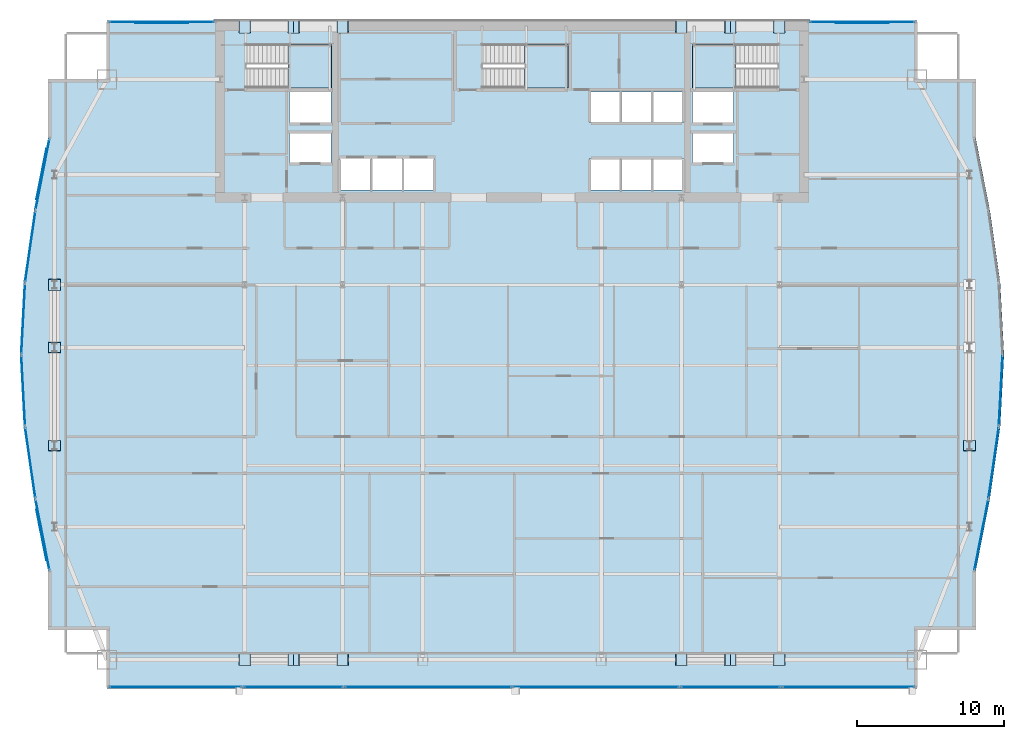
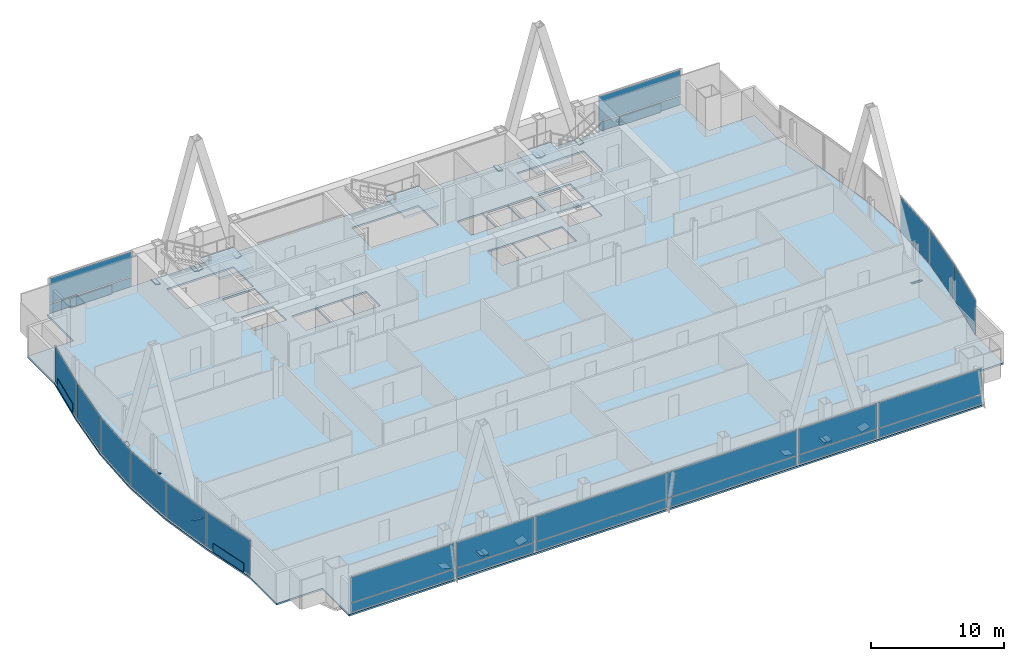
# One storey, part 25 of 31: 50 plates, 4 slabs, 19 elements without a shape of their own.
"""IFC4 building model written with IfcOpenShell, lengths in metres."""

from ifc_helpers import new_model, si_unit, direction, frame, origin, origin_2d, place, context, subcontext, project, spatial, polyline, rectangle, outline, extrude, material, layer, layer_set, type_object, element, aggregate, save


model = new_model("IFC4")

# Units and contexts
model_context = context("Model", 3, precision=1e-05, world=origin(), true_north=direction((0.0, 1.0)))
body_context = subcontext(model_context, "Body", "Model", "MODEL_VIEW")
ifc_project = project(units=[si_unit("LENGTHUNIT", "METRE"), si_unit("AREAUNIT", "SQUARE_METRE"), si_unit("VOLUMEUNIT", "CUBIC_METRE"), si_unit("PLANEANGLEUNIT", "RADIAN"), si_unit("MASSUNIT", "GRAM", prefix="KILO")], contexts=[model_context])

# Site, building, storey
site_placement = place(None, origin())
site = spatial("IfcSite", under=ifc_project, at=site_placement, CompositionType="ELEMENT")
building_placement = place(site_placement, origin())
building = spatial("IfcBuilding", under=site, at=building_placement, Name="Khoronbel Lancet Exchange", CompositionType="ELEMENT")
storey_placement = place(building_placement, frame((0.0, 0.0, 168.60009765625)))
storey = spatial("IfcBuildingStorey", under=building, at=storey_placement, Name="L42", CompositionType="ELEMENT", Elevation=168.60009765625)

# Curtain wall, plate
ifc_material_1 = material(Name="Low-E Solar Control Insulating Glass", Category="glass")
curtain_wall_type_1 = type_object("IfcCurtainWallType", Name="CW-4", PredefinedType="NOTDEFINED", material=ifc_material_1)
curtain_wall_1_placement = place(storey_placement, origin())
curtain_wall_1 = element("IfcCurtainWall", 1, at=curtain_wall_1_placement, inside=storey, type_object=curtain_wall_type_1, Name="Unitised curtain wall CW-L42-E04", PredefinedType="NOTDEFINED")
ifc_material_2 = material(Name="Bronze-Anodised Aluminium 6063-T6", Category="aluminium")
ifc_layer_1 = layer(ifc_material_2, 0.050048828125, Name="Bronze-Anodised Aluminium 6063-T6")
ifc_layer_set_1 = layer_set([ifc_layer_1], Name="Bronze-Anodised Aluminium 6063-T6")
plate_type_1 = type_object("IfcPlateType", Name="PLT-CSP1", PredefinedType="SHEET", material=ifc_layer_set_1)
plate_1_placement = place(storey_placement, frame((4.39794921875, 18.65869140625, 0.0498046875), z_axis=(0.0, 0.0, 1.0), x_axis=(-0.192626724116, 0.981272105563, 0.0)))
plate_1 = element("IfcPlate", 2, at=plate_1_placement, type_object=plate_type_1, Name="Insulated bronze spandrel cassette CW-L42-E04", PredefinedType="SHEET", context=body_context, shape_type="SweptSolid", body=[
    extrude(rectangle(XDim=3.511962890625, YDim=0.050048828125, at=origin_2d()), origin(), (0.0, 0.0, 1.0), 0.800048828125),
])

curtain_wall_2_placement = place(storey_placement, origin())
curtain_wall_2 = element("IfcCurtainWall", 3, at=curtain_wall_2_placement, inside=storey, type_object=curtain_wall_type_1, Name="Unitised curtain wall CW-L42-E05", PredefinedType="NOTDEFINED")
plate_2_placement = place(storey_placement, frame((3.620849609375, 23.5869140625, 0.0849609375), z_axis=(0.0, 0.0, 1.0), x_axis=(-0.142256663132, 0.989829804459, 0.0)))
plate_2 = element("IfcPlate", 4, at=plate_2_placement, type_object=plate_type_1, Name="CW4 panel 1.1", PredefinedType="CURTAIN_PANEL", context=body_context, shape_type="SweptSolid", body=[
    extrude(rectangle(XDim=4.810791015625, YDim=0.0380859375, at=origin_2d()), origin(), (0.0, 0.0, 1.0), 3.2099609375),
])
aggregate(curtain_wall_2, [plate_2])

curtain_wall_3_placement = place(storey_placement, origin())
curtain_wall_3 = element("IfcCurtainWall", 5, at=curtain_wall_3_placement, inside=storey, type_object=curtain_wall_type_1, Name="Unitised curtain wall CW-L42-E06", PredefinedType="NOTDEFINED")
plate_3_placement = place(storey_placement, frame((3.138916015625, 28.49609375, 0.0849609375), z_axis=(0.0, 0.0, 1.0), x_axis=(-0.052536406245, 0.998619009442, 0.0)))
plate_3 = element("IfcPlate", 6, at=plate_3_placement, type_object=plate_type_1, Name="CW4 panel 1.1", PredefinedType="CURTAIN_PANEL", context=body_context, shape_type="SweptSolid", body=[
    extrude(rectangle(XDim=4.7646484375, YDim=0.0380859375, at=origin_2d()), origin(), (0.0, 0.0, 1.0), 3.2099609375),
])
aggregate(curtain_wall_3, [plate_3])

curtain_wall_4_placement = place(storey_placement, origin())
curtain_wall_4 = element("IfcCurtainWall", 7, at=curtain_wall_4_placement, inside=storey, type_object=curtain_wall_type_1, Name="Unitised curtain wall CW-L42-E07", PredefinedType="NOTDEFINED")
plate_4_placement = place(storey_placement, frame((3.138916015625, 33.404052734375, 0.0849609375), z_axis=(0.0, 0.0, 1.0), x_axis=(0.052536406245, 0.998619009442, 0.0)))
plate_4 = element("IfcPlate", 8, at=plate_4_placement, type_object=plate_type_1, Name="CW4 panel 1.1", PredefinedType="CURTAIN_PANEL", context=body_context, shape_type="SweptSolid", body=[
    extrude(rectangle(XDim=4.7646484375, YDim=0.0380859375, at=origin_2d()), origin(), (0.0, 0.0, 1.0), 3.2099609375),
])
aggregate(curtain_wall_4, [plate_4])

curtain_wall_5_placement = place(storey_placement, origin())
curtain_wall_5 = element("IfcCurtainWall", 9, at=curtain_wall_5_placement, inside=storey, type_object=curtain_wall_type_1, Name="Unitised curtain wall CW-L42-E08", PredefinedType="NOTDEFINED")
plate_5_placement = place(storey_placement, frame((3.620849609375, 38.31298828125, 0.0849609375), z_axis=(0.0, 0.0, 1.0), x_axis=(0.142256663132, 0.989829804459, 0.0)))
plate_5 = element("IfcPlate", 10, at=plate_5_placement, type_object=plate_type_1, Name="CW4 panel 1.1", PredefinedType="CURTAIN_PANEL", context=body_context, shape_type="SweptSolid", body=[
    extrude(rectangle(XDim=4.810791015625, YDim=0.0380859375, at=origin_2d()), origin(), (0.0, 0.0, 1.0), 3.2099609375),
])
aggregate(curtain_wall_5, [plate_5])

curtain_wall_6_placement = place(storey_placement, origin())
curtain_wall_6 = element("IfcCurtainWall", 11, at=curtain_wall_6_placement, inside=storey, type_object=curtain_wall_type_1, Name="Unitised curtain wall CW-L42-E09", PredefinedType="NOTDEFINED")
plate_6_placement = place(storey_placement, frame((4.39794921875, 43.2412109375, 0.0498046875), z_axis=(0.0, 0.0, 1.0), x_axis=(0.192626724116, 0.981272105563, 0.0)))
plate_6 = element("IfcPlate", 12, at=plate_6_placement, type_object=plate_type_1, Name="Insulated bronze spandrel cassette CW-L42-E09", PredefinedType="SHEET", context=body_context, shape_type="SweptSolid", body=[
    extrude(rectangle(XDim=3.511962890625, YDim=0.050048828125, at=origin_2d()), origin(), (0.0, 0.0, 1.0), 0.800048828125),
])

curtain_wall_type_2 = type_object("IfcCurtainWallType", Name="CW-3", PredefinedType="NOTDEFINED", material=ifc_material_1)
curtain_wall_7_placement = place(storey_placement, origin())
curtain_wall_7 = element("IfcCurtainWall", 13, at=curtain_wall_7_placement, inside=storey, type_object=curtain_wall_type_2, Name="Unitised curtain wall CW-L42-NWFLK", PredefinedType="NOTDEFINED")
plate_7_placement = place(storey_placement, frame((12.580078125, 53.550048828125, 0.0498046875), z_axis=(0.0, 0.0, 1.0), x_axis=(-1.0, 0.0, 0.0)))
plate_7 = element("IfcPlate", 14, at=plate_7_placement, type_object=plate_type_1, Name="Insulated bronze spandrel cassette CW-L42-NWFLK", PredefinedType="SHEET", context=body_context, shape_type="SweptSolid", body=[
    extrude(rectangle(XDim=3.60009765625, YDim=0.050048828125, at=origin_2d()), origin(), (0.0, 0.0, 1.0), 0.800048828125),
])

curtain_wall_8_placement = place(storey_placement, origin())
curtain_wall_8 = element("IfcCurtainWall", 15, at=curtain_wall_8_placement, inside=storey, type_object=curtain_wall_type_2, Name="Unitised curtain wall CW-L42-NEFLK", PredefinedType="NOTDEFINED")
plate_8_placement = place(storey_placement, frame((60.320068359375, 53.550048828125, 0.0498046875), z_axis=(0.0, 0.0, 1.0), x_axis=(-1.0, 0.0, 0.0)))
plate_8 = element("IfcPlate", 16, at=plate_8_placement, type_object=plate_type_1, Name="Insulated bronze spandrel cassette CW-L42-NEFLK", PredefinedType="SHEET", context=body_context, shape_type="SweptSolid", body=[
    extrude(rectangle(XDim=3.60009765625, YDim=0.050048828125, at=origin_2d()), origin(), (0.0, 0.0, 1.0), 0.800048828125),
])

curtain_wall_9_placement = place(storey_placement, origin())
curtain_wall_9 = element("IfcCurtainWall", 17, at=curtain_wall_9_placement, inside=storey, type_object=curtain_wall_type_1, Name="Unitised curtain wall CW-L42-E20", PredefinedType="NOTDEFINED")
plate_9_placement = place(storey_placement, frame((69.76123046875, 28.49609375, 0.0849609375), z_axis=(0.0, 0.0, 1.0), x_axis=(-0.052536406245, -0.998619009442, 0.0)))
plate_9 = element("IfcPlate", 18, at=plate_9_placement, type_object=plate_type_1, Name="CW4 panel 1.1", PredefinedType="CURTAIN_PANEL", context=body_context, shape_type="SweptSolid", body=[
    extrude(rectangle(XDim=4.7646484375, YDim=0.0380859375, at=origin_2d()), origin(), (0.0, 0.0, 1.0), 3.2099609375),
])
aggregate(curtain_wall_9, [plate_9])

curtain_wall_10_placement = place(storey_placement, origin())
curtain_wall_10 = element("IfcCurtainWall", 19, at=curtain_wall_10_placement, inside=storey, type_object=curtain_wall_type_1, Name="Unitised curtain wall CW-L42-E21", PredefinedType="NOTDEFINED")
plate_10_placement = place(storey_placement, frame((69.279296875, 23.5869140625, 0.0849609375), z_axis=(0.0, 0.0, 1.0), x_axis=(-0.142256663132, -0.989829804459, 0.0)))
plate_10 = element("IfcPlate", 20, at=plate_10_placement, type_object=plate_type_1, Name="CW4 panel 1.1", PredefinedType="CURTAIN_PANEL", context=body_context, shape_type="SweptSolid", body=[
    extrude(rectangle(XDim=4.810791015625, YDim=0.0380859375, at=origin_2d()), origin(), (0.0, 0.0, 1.0), 3.2099609375),
])
aggregate(curtain_wall_10, [plate_10])

# Curtain wall, plates
curtain_wall_11_placement = place(storey_placement, origin())
curtain_wall_11 = element("IfcCurtainWall", 21, at=curtain_wall_11_placement, inside=storey, type_object=curtain_wall_type_2, Name="Unitised curtain wall CW-L42-SWB", PredefinedType="NOTDEFINED")
plate_11_placement = place(storey_placement, frame((21.550048828125, 8.2900390625, 0.0849609375), z_axis=(0.0, 0.0, 1.0), x_axis=(1.0, 0.0, 0.0)))
plate_11 = element("IfcPlate", 22, at=plate_11_placement, type_object=plate_type_1, Name="CW3 panel 1.1", PredefinedType="CURTAIN_PANEL", context=body_context, shape_type="SweptSolid", body=[
    extrude(rectangle(XDim=6.72998046875, YDim=0.0380859375, at=origin_2d()), origin(), (0.0, 0.0, 1.0), 0.822509765625),
])
plate_12_placement = place(storey_placement, frame((21.550048828125, 8.2900390625, 0.9921875), z_axis=(0.0, 0.0, 1.0), x_axis=(1.0, 0.0, 0.0)))
plate_12 = element("IfcPlate", 23, at=plate_12_placement, type_object=plate_type_1, Name="CW3 panel 1.2", PredefinedType="CURTAIN_PANEL", context=body_context, shape_type="SweptSolid", body=[
    extrude(rectangle(XDim=6.72998046875, YDim=0.0380859375, at=origin_2d()), origin(), (0.0, 0.0, 1.0), 2.302490234375),
])
aggregate(curtain_wall_11, [plate_11, plate_12])

curtain_wall_12_placement = place(storey_placement, origin())
curtain_wall_12 = element("IfcCurtainWall", 24, at=curtain_wall_12_placement, inside=storey, type_object=curtain_wall_type_2, Name="Unitised curtain wall CW-L42-SEB", PredefinedType="NOTDEFINED")
plate_13_placement = place(storey_placement, frame((51.35009765625, 8.2900390625, 0.0849609375), z_axis=(0.0, 0.0, 1.0), x_axis=(1.0, 0.0, 0.0)))
plate_13 = element("IfcPlate", 25, at=plate_13_placement, type_object=plate_type_1, Name="CW3 panel 1.1", PredefinedType="CURTAIN_PANEL", context=body_context, shape_type="SweptSolid", body=[
    extrude(rectangle(XDim=6.72998046875, YDim=0.0380859375, at=origin_2d()), origin(), (0.0, 0.0, 1.0), 0.822509765625),
])
plate_14_placement = place(storey_placement, frame((51.35009765625, 8.2900390625, 0.9921875), z_axis=(0.0, 0.0, 1.0), x_axis=(1.0, 0.0, 0.0)))
plate_14 = element("IfcPlate", 26, at=plate_14_placement, type_object=plate_type_1, Name="CW3 panel 1.2", PredefinedType="CURTAIN_PANEL", context=body_context, shape_type="SweptSolid", body=[
    extrude(rectangle(XDim=6.72998046875, YDim=0.0380859375, at=origin_2d()), origin(), (0.0, 0.0, 1.0), 2.302490234375),
])
aggregate(curtain_wall_12, [plate_13, plate_14])

# Plate
ifc_layer_2 = layer(ifc_material_1, 0.035888671875, Name="Low-E Solar Control Insulating Glass")
ifc_layer_set_2 = layer_set([ifc_layer_2], Name="Low-E Solar Control Insulating Glass")
plate_type_2 = type_object("IfcPlateType", Name="PLT-CWP1", PredefinedType="CURTAIN_PANEL", material=ifc_layer_set_2)
plate_15_placement = place(storey_placement, frame((12.580078125, 53.610107421875, 0.0849609375), z_axis=(0.0, 0.0, 1.0), x_axis=(-1.0, 0.0, 0.0)))
plate_15 = element("IfcPlate", 27, at=plate_15_placement, type_object=plate_type_2, Name="CW3 panel 1.1", PredefinedType="CURTAIN_PANEL", context=body_context, shape_type="SweptSolid", body=[
    extrude(rectangle(XDim=7.110107421875, YDim=0.0380859375, at=origin_2d()), origin(), (0.0, 0.0, 1.0), 0.822509765625),
])

plate_16_placement = place(storey_placement, frame((12.580078125, 53.610107421875, 0.9921875), z_axis=(0.0, 0.0, 1.0), x_axis=(-1.0, 0.0, 0.0)))
plate_16 = element("IfcPlate", 28, at=plate_16_placement, type_object=plate_type_2, Name="CW3 panel 1.2", PredefinedType="CURTAIN_PANEL", context=body_context, shape_type="SweptSolid", body=[
    extrude(rectangle(XDim=7.110107421875, YDim=0.0380859375, at=origin_2d()), origin(), (0.0, 0.0, 1.0), 2.302490234375),
])

aggregate(curtain_wall_7, [plate_15, plate_16, plate_7])

plate_17_placement = place(storey_placement, frame((60.320068359375, 53.610107421875, 0.0849609375), z_axis=(0.0, 0.0, 1.0), x_axis=(-1.0, 0.0, 0.0)))
plate_17 = element("IfcPlate", 29, at=plate_17_placement, type_object=plate_type_2, Name="CW3 panel 1.1", PredefinedType="CURTAIN_PANEL", context=body_context, shape_type="SweptSolid", body=[
    extrude(rectangle(XDim=7.110107421875, YDim=0.0380859375, at=origin_2d()), origin(), (0.0, 0.0, 1.0), 0.822509765625),
])

plate_18_placement = place(storey_placement, frame((60.320068359375, 53.610107421875, 0.9921875), z_axis=(0.0, 0.0, 1.0), x_axis=(-1.0, 0.0, 0.0)))
plate_18 = element("IfcPlate", 30, at=plate_18_placement, type_object=plate_type_2, Name="CW3 panel 1.2", PredefinedType="CURTAIN_PANEL", context=body_context, shape_type="SweptSolid", body=[
    extrude(rectangle(XDim=7.110107421875, YDim=0.0380859375, at=origin_2d()), origin(), (0.0, 0.0, 1.0), 2.302490234375),
])

aggregate(curtain_wall_8, [plate_17, plate_18, plate_8])

# Curtain wall, plates
curtain_wall_13_placement = place(storey_placement, origin())
curtain_wall_13 = element("IfcCurtainWall", 31, at=curtain_wall_13_placement, inside=storey, type_object=curtain_wall_type_2, Name="Unitised curtain wall CW-L42-SWV", PredefinedType="NOTDEFINED")
plate_19_placement = place(storey_placement, frame((13.52001953125, 8.2900390625, 0.0849609375), z_axis=(0.0, 0.0, 1.0), x_axis=(1.0, 0.0, 0.0)))
plate_19 = element("IfcPlate", 32, at=plate_19_placement, type_object=plate_type_2, Name="CW3 panel 1.1", PredefinedType="CURTAIN_PANEL", context=body_context, shape_type="SweptSolid", body=[
    extrude(rectangle(XDim=8.989990234375, YDim=0.0380859375, at=origin_2d()), origin(), (0.0, 0.0, 1.0), 0.822509765625),
])
plate_20_placement = place(storey_placement, frame((13.52001953125, 8.2900390625, 0.9921875), z_axis=(0.0, 0.0, 1.0), x_axis=(1.0, 0.0, 0.0)))
plate_20 = element("IfcPlate", 33, at=plate_20_placement, type_object=plate_type_2, Name="CW3 panel 1.2", PredefinedType="CURTAIN_PANEL", context=body_context, shape_type="SweptSolid", body=[
    extrude(rectangle(XDim=8.989990234375, YDim=0.0380859375, at=origin_2d()), origin(), (0.0, 0.0, 1.0), 2.302490234375),
])
aggregate(curtain_wall_13, [plate_19, plate_20])

curtain_wall_14_placement = place(storey_placement, origin())
curtain_wall_14 = element("IfcCurtainWall", 34, at=curtain_wall_14_placement, inside=storey, type_object=curtain_wall_type_2, Name="Unitised curtain wall CW-L42-SCV", PredefinedType="NOTDEFINED")
plate_21_placement = place(storey_placement, frame((30.746337890625, 8.2900390625, 0.0849609375), z_axis=(0.0, 0.0, 1.0), x_axis=(1.0, 0.0, 0.0)))
plate_21 = element("IfcPlate", 35, at=plate_21_placement, type_object=plate_type_2, Name="CW3 panel 1.1", PredefinedType="CURTAIN_PANEL", context=body_context, shape_type="SweptSolid", body=[
    extrude(rectangle(XDim=11.322509765625, YDim=0.0380859375, at=origin_2d()), origin(), (0.0, 0.0, 1.0), 0.822509765625),
])
plate_22_placement = place(storey_placement, frame((30.746337890625, 8.2900390625, 0.9921875), z_axis=(0.0, 0.0, 1.0), x_axis=(1.0, 0.0, 0.0)))
plate_22 = element("IfcPlate", 36, at=plate_22_placement, type_object=plate_type_2, Name="CW3 panel 1.2", PredefinedType="CURTAIN_PANEL", context=body_context, shape_type="SweptSolid", body=[
    extrude(rectangle(XDim=11.322509765625, YDim=0.0380859375, at=origin_2d()), origin(), (0.0, 0.0, 1.0), 2.302490234375),
])
plate_23_placement = place(storey_placement, frame((42.15380859375, 8.2900390625, 0.0849609375), z_axis=(0.0, 0.0, 1.0), x_axis=(1.0, 0.0, 0.0)))
plate_23 = element("IfcPlate", 37, at=plate_23_placement, type_object=plate_type_2, Name="CW3 panel 2.1", PredefinedType="CURTAIN_PANEL", context=body_context, shape_type="SweptSolid", body=[
    extrude(rectangle(XDim=11.322509765625, YDim=0.0380859375, at=origin_2d()), origin(), (0.0, 0.0, 1.0), 0.822509765625),
])
plate_24_placement = place(storey_placement, frame((42.15380859375, 8.2900390625, 0.9921875), z_axis=(0.0, 0.0, 1.0), x_axis=(1.0, 0.0, 0.0)))
plate_24 = element("IfcPlate", 38, at=plate_24_placement, type_object=plate_type_2, Name="CW3 panel 2.2", PredefinedType="CURTAIN_PANEL", context=body_context, shape_type="SweptSolid", body=[
    extrude(rectangle(XDim=11.322509765625, YDim=0.0380859375, at=origin_2d()), origin(), (0.0, 0.0, 1.0), 2.302490234375),
])
aggregate(curtain_wall_14, [plate_21, plate_22, plate_23, plate_24])

curtain_wall_15_placement = place(storey_placement, origin())
curtain_wall_15 = element("IfcCurtainWall", 39, at=curtain_wall_15_placement, inside=storey, type_object=curtain_wall_type_2, Name="Unitised curtain wall CW-L42-SEV", PredefinedType="NOTDEFINED")
plate_25_placement = place(storey_placement, frame((59.3798828125, 8.2900390625, 0.0849609375), z_axis=(0.0, 0.0, 1.0), x_axis=(1.0, 0.0, 0.0)))
plate_25 = element("IfcPlate", 40, at=plate_25_placement, type_object=plate_type_2, Name="CW3 panel 1.1", PredefinedType="CURTAIN_PANEL", context=body_context, shape_type="SweptSolid", body=[
    extrude(rectangle(XDim=8.989990234375, YDim=0.0380859375, at=origin_2d()), origin(), (0.0, 0.0, 1.0), 0.822509765625),
])
plate_26_placement = place(storey_placement, frame((59.3798828125, 8.2900390625, 0.9921875), z_axis=(0.0, 0.0, 1.0), x_axis=(1.0, 0.0, 0.0)))
plate_26 = element("IfcPlate", 41, at=plate_26_placement, type_object=plate_type_2, Name="CW3 panel 1.2", PredefinedType="CURTAIN_PANEL", context=body_context, shape_type="SweptSolid", body=[
    extrude(rectangle(XDim=8.989990234375, YDim=0.0380859375, at=origin_2d()), origin(), (0.0, 0.0, 1.0), 2.302490234375),
])
aggregate(curtain_wall_15, [plate_25, plate_26])

# Plate
ifc_material_3 = material(Name="Ceramic-Fritted Laminated Insulating Glass", Category="glass")
ifc_layer_3 = layer(ifc_material_3, 0.0419921875, Name="Ceramic-Fritted Laminated Insulating Glass")
ifc_layer_set_3 = layer_set([ifc_layer_3], Name="Ceramic-Fritted Laminated Insulating Glass")
plate_type_3 = type_object("IfcPlateType", Name="PLT-CWP2", PredefinedType="CURTAIN_PANEL", material=ifc_layer_set_3)
plate_27_placement = place(storey_placement, frame((4.456787109375, 18.67041015625, 0.0849609375), z_axis=(0.0, 0.0, 1.0), x_axis=(-0.192626724116, 0.981272105563, 0.0)))
plate_27 = element("IfcPlate", 42, at=plate_27_placement, type_object=plate_type_3, Name="CW4 panel 1.1", PredefinedType="CURTAIN_PANEL", context=body_context, shape_type="SweptSolid", body=[
    extrude(rectangle(XDim=4.866943359375, YDim=0.0380859375, at=origin_2d()), origin(), (0.0, 0.0, 1.0), 3.2099609375),
])

aggregate(curtain_wall_1, [plate_27, plate_1])

plate_28_placement = place(storey_placement, frame((4.456787109375, 43.229736328125, 0.0849609375), z_axis=(0.0, 0.0, 1.0), x_axis=(0.192626724116, 0.981272105563, 0.0)))
plate_28 = element("IfcPlate", 43, at=plate_28_placement, type_object=plate_type_3, Name="CW4 panel 1.1", PredefinedType="CURTAIN_PANEL", context=body_context, shape_type="SweptSolid", body=[
    extrude(rectangle(XDim=4.866943359375, YDim=0.0380859375, at=origin_2d()), origin(), (0.0, 0.0, 1.0), 3.2099609375),
])

aggregate(curtain_wall_6, [plate_28, plate_6])

# Curtain wall, plate
curtain_wall_16_placement = place(storey_placement, origin())
curtain_wall_16 = element("IfcCurtainWall", 44, at=curtain_wall_16_placement, inside=storey, type_object=curtain_wall_type_1, Name="Unitised curtain wall CW-L42-E22", PredefinedType="NOTDEFINED")
plate_29_placement = place(storey_placement, frame((68.443115234375, 18.67041015625, 0.0849609375), z_axis=(0.0, 0.0, 1.0), x_axis=(-0.192626724116, -0.981272105563, 0.0)))
plate_29 = element("IfcPlate", 45, at=plate_29_placement, type_object=plate_type_3, Name="CW4 panel 1.1", PredefinedType="CURTAIN_PANEL", context=body_context, shape_type="SweptSolid", body=[
    extrude(rectangle(XDim=4.866943359375, YDim=0.0380859375, at=origin_2d()), origin(), (0.0, 0.0, 1.0), 3.2099609375),
])
aggregate(curtain_wall_16, [plate_29])

# Plates
ifc_material_4 = material(Name="Steel S460", Category="steel")
ifc_layer_4 = layer(ifc_material_4, 0.044921875, Name="Steel S460")
ifc_layer_set_4 = layer_set([ifc_layer_4], Name="Steel S460")
plate_type_4 = type_object("IfcPlateType", Name="PLT-ECP1", PredefinedType="USERDEFINED", material=ifc_layer_set_4)
for number, where, z_axis, x_axis, name in (
    (46, (21.954345703125, 9.75, -0.086669921875), (0.295179616828, 0.0, 0.955441779393), (0.0, 1.0, 0.0), "Hollow end cap plate PLT-CAP-MEM-MB-T13-S-W-L-1"),
    (47, (21.170654296875, 10.550048828125, -0.086669921875), (-0.295179616828, 0.0, 0.955441779393), (0.0, -1.0, 0.0), "Hollow end cap plate PLT-CAP-MEM-MB-T13-S-W-R-1"),
):
    element("IfcPlate", number, at=place(storey_placement, frame(where, z_axis=z_axis, x_axis=x_axis)), inside=storey, type_object=plate_type_4, Name=name, ObjectType="STIFFENER_PLATE", PredefinedType="USERDEFINED", context=body_context, shape_type="SweptSolid", body=[
        extrude(outline(polyline([(0.0, 0.0), (0.800048828125, 0.0), (0.800048828125, 0.7998046875), (0.0, 0.7998046875), (0.0, 0.0)])), origin(), (0.0, 0.0, -1.0), 0.044921875),
    ])
for number, where, z_axis, x_axis, name in (
    (48, (51.7294921875, 9.75, -0.086669921875), (0.295093551173, 0.0, 0.955468364759), (0.0, 1.0, 0.0), "Hollow end cap plate PLT-CAP-MEM-MB-T13-S-E-L-1"),
    (49, (50.945556640625, 10.550048828125, -0.086669921875), (-0.295093551173, 0.0, 0.955468364759), (0.0, -1.0, 0.0), "Hollow end cap plate PLT-CAP-MEM-MB-T13-S-E-R-1"),
):
    element("IfcPlate", number, at=place(storey_placement, frame(where, z_axis=z_axis, x_axis=x_axis)), inside=storey, type_object=plate_type_4, Name=name, ObjectType="STIFFENER_PLATE", PredefinedType="USERDEFINED", context=body_context, shape_type="SweptSolid", body=[
        extrude(outline(polyline([(0.0, 0.0), (0.800048828125, 0.0), (0.800048828125, 0.800048828125), (0.0, 0.800048828125), (0.0, 0.0)])), origin(), (0.0, 0.0, -1.0), 0.044921875),
    ])
for number, where, z_axis, x_axis, name in (
    (50, (21.954345703125, 52.8798828125, -0.086669921875), (0.295179616828, 0.0, 0.955441779393), (0.0, 1.0, 0.0), "Hollow end cap plate PLT-CAP-MEM-MB-T13-N-W-L-1"),
    (51, (21.170654296875, 53.679931640625, -0.086669921875), (-0.295179616828, 0.0, 0.955441779393), (0.0, -1.0, 0.0), "Hollow end cap plate PLT-CAP-MEM-MB-T13-N-W-R-1"),
):
    element("IfcPlate", number, at=place(storey_placement, frame(where, z_axis=z_axis, x_axis=x_axis)), inside=storey, type_object=plate_type_4, Name=name, ObjectType="STIFFENER_PLATE", PredefinedType="USERDEFINED", context=body_context, shape_type="SweptSolid", body=[
        extrude(outline(polyline([(0.0, 0.0), (0.800048828125, 0.0), (0.800048828125, 0.7998046875), (0.0, 0.7998046875), (0.0, 0.0)])), origin(), (0.0, 0.0, -1.0), 0.044921875),
    ])
for number, where, z_axis, x_axis, name in (
    (52, (51.7294921875, 52.8798828125, -0.086669921875), (0.295093551173, 0.0, 0.955468364759), (0.0, 1.0, 0.0), "Hollow end cap plate PLT-CAP-MEM-MB-T13-N-E-L-1"),
    (53, (50.945556640625, 53.679931640625, -0.086669921875), (-0.295093551173, 0.0, 0.955468364759), (0.0, -1.0, 0.0), "Hollow end cap plate PLT-CAP-MEM-MB-T13-N-E-R-1"),
):
    element("IfcPlate", number, at=place(storey_placement, frame(where, z_axis=z_axis, x_axis=x_axis)), inside=storey, type_object=plate_type_4, Name=name, ObjectType="STIFFENER_PLATE", PredefinedType="USERDEFINED", context=body_context, shape_type="SweptSolid", body=[
        extrude(outline(polyline([(0.0, 0.0), (0.800048828125, 0.0), (0.800048828125, 0.800048828125), (0.0, 0.800048828125), (0.0, 0.0)])), origin(), (0.0, 0.0, -1.0), 0.044921875),
    ])
plate_30_placement = place(storey_placement, frame((5.669921875, 31.78271484375, -0.182373046875), z_axis=(0.0, 0.525713722958, 0.850661555199), x_axis=(-1.0, 0.0, 0.0)))
element("IfcPlate", 54, at=plate_30_placement, inside=storey, type_object=plate_type_4, Name="Hollow end cap plate PLT-CAP-MEM-MB-T13-W-P-L-1", ObjectType="STIFFENER_PLATE", PredefinedType="USERDEFINED", context=body_context, shape_type="SweptSolid", body=[
    extrude(outline(polyline([(0.0, 0.0), (0.7998046875, 0.0), (0.7998046875, 0.800048828125), (0.0, 0.800048828125), (0.0, 0.0)])), origin(), (0.0, 0.0, -1.0), 0.044921875),
])
plate_31_placement = place(storey_placement, frame((4.8701171875, 31.041015625, -0.11669921875), z_axis=(0.0, -0.368125419582, 0.929776142659), x_axis=(1.0, 0.0, 0.0)))
element("IfcPlate", 55, at=plate_31_placement, inside=storey, type_object=plate_type_4, Name="Hollow end cap plate PLT-CAP-MEM-MB-T13-W-P-R-1", ObjectType="STIFFENER_PLATE", PredefinedType="USERDEFINED", context=body_context, shape_type="SweptSolid", body=[
    extrude(outline(polyline([(0.0, 0.0), (0.7998046875, 0.0), (0.7998046875, 0.7998046875), (0.0, 0.7998046875), (0.0, 0.0)])), origin(), (0.0, 0.0, -1.0), 0.044921875),
])
for number, where, z_axis, x_axis, name in (
    (56, (18.613525390625, 9.75, -0.095703125), (0.267942904073, 0.0, 0.963434792893), (0.0, 1.0, 0.0), "Hollow end cap plate PLT-CAP-MEM-MB-T14-S-W-L-0"),
    (57, (24.511474609375, 10.550048828125, -0.095703125), (-0.267942904073, 0.0, 0.963434792893), (0.0, -1.0, 0.0), "Hollow end cap plate PLT-CAP-MEM-MB-T14-S-W-R-0"),
    (58, (48.388671875, 9.75, -0.095703125), (0.267942904073, 0.0, 0.963434792893), (0.0, 1.0, 0.0), "Hollow end cap plate PLT-CAP-MEM-MB-T14-S-E-L-0"),
    (59, (54.286376953125, 10.550048828125, -0.095703125), (-0.267942904073, 0.0, 0.963434792893), (0.0, -1.0, 0.0), "Hollow end cap plate PLT-CAP-MEM-MB-T14-S-E-R-0"),
    (60, (18.613525390625, 52.8798828125, -0.095703125), (0.267942904073, 0.0, 0.963434792893), (0.0, 1.0, 0.0), "Hollow end cap plate PLT-CAP-MEM-MB-T14-N-W-L-0"),
    (61, (24.511474609375, 53.679931640625, -0.095703125), (-0.267942904073, 0.0, 0.963434792893), (0.0, -1.0, 0.0), "Hollow end cap plate PLT-CAP-MEM-MB-T14-N-W-R-0"),
    (62, (48.388671875, 52.8798828125, -0.095703125), (0.267942904073, 0.0, 0.963434792893), (0.0, 1.0, 0.0), "Hollow end cap plate PLT-CAP-MEM-MB-T14-N-E-L-0"),
    (63, (54.286376953125, 53.679931640625, -0.095703125), (-0.267942904073, 0.0, 0.963434792893), (0.0, -1.0, 0.0), "Hollow end cap plate PLT-CAP-MEM-MB-T14-N-E-R-0"),
):
    element("IfcPlate", number, at=place(storey_placement, frame(where, z_axis=z_axis, x_axis=x_axis)), inside=storey, type_object=plate_type_4, Name=name, ObjectType="STIFFENER_PLATE", PredefinedType="USERDEFINED", context=body_context, shape_type="SweptSolid", body=[
        extrude(outline(polyline([(0.0, 0.0), (0.800048828125, 0.0), (0.800048828125, 0.800048828125), (0.0, 0.800048828125), (0.0, 0.0)])), origin(), (0.0, 0.0, -1.0), 0.044921875),
    ])
for number, where, z_axis, x_axis, name in (
    (64, (5.669921875, 25.10546875, -0.18408203125), (0.0, 0.486083303188, 0.873912479806), (-1.0, 0.0, 0.0), "Hollow end cap plate PLT-CAP-MEM-MB-T14-W-P-L-0"),
    (65, (4.8701171875, 35.319091796875, -0.123046875), (0.0, -0.335659743873, 0.941983299397), (1.0, 0.0, 0.0), "Hollow end cap plate PLT-CAP-MEM-MB-T14-W-P-R-0"),
):
    element("IfcPlate", number, at=place(storey_placement, frame(where, z_axis=z_axis, x_axis=x_axis)), inside=storey, type_object=plate_type_4, Name=name, ObjectType="STIFFENER_PLATE", PredefinedType="USERDEFINED", context=body_context, shape_type="SweptSolid", body=[
        extrude(outline(polyline([(0.0, 0.0), (0.7998046875, 0.0), (0.7998046875, 0.800048828125), (0.0, 0.800048828125), (0.0, 0.0)])), origin(), (0.0, 0.0, -1.0), 0.044921875),
    ])
plate_32_placement = place(storey_placement, frame((68.030029296875, 25.10546875, -0.18408203125), z_axis=(0.0, 0.486083303188, 0.873912479806), x_axis=(-1.0, 0.0, 0.0)))
element("IfcPlate", 66, at=plate_32_placement, inside=storey, type_object=plate_type_4, Name="Hollow end cap plate PLT-CAP-MEM-MB-T14-E-P-L-0", ObjectType="STIFFENER_PLATE", PredefinedType="USERDEFINED", context=body_context, shape_type="SweptSolid", body=[
    extrude(outline(polyline([(0.0, 0.0), (0.800048828125, 0.0), (0.800048828125, 0.800048828125), (0.0, 0.800048828125), (0.0, 0.0)])), origin(), (0.0, 0.0, -1.0), 0.044921875),
])

# Slab
ifc_material_5 = material(Name="Concrete C40/50", Category="concrete")
ifc_layer_5 = layer(ifc_material_5, 0.159912109375, Name="Concrete C40/50")
ifc_layer_set_5 = layer_set([ifc_layer_5], Name="Concrete C40/50")
slab_type_1 = type_object("IfcSlabType", Name="SL-FL160", PredefinedType="FLOOR", material=ifc_layer_set_5)
slab_1_placement = place(storey_placement, frame((0.0, 0.0, -0.16015625)))
element("IfcSlab", 67, at=slab_1_placement, inside=storey, type_object=slab_type_1, Name="Level L42 composite structural floor slab", PredefinedType="FLOOR", context=body_context, shape_type="SweptSolid", body=[
    extrude(outline(polyline([(8.85009765625, 8.199951171875), (64.050048828125, 8.199951171875), (64.050048828125, 12.199951171875), (68.050048828125, 12.199951171875), (68.050048828125, 16.199951171875), (69.01513671875, 21.11669921875), (69.7216796875, 26.033203125), (69.98046875, 30.949951171875), (69.7216796875, 35.86669921875), (69.01513671875, 40.783203125), (68.050048828125, 45.699951171875), (68.050048828125, 49.699951171875), (64.050048828125, 49.699951171875), (64.050048828125, 53.699951171875), (8.85009765625, 53.699951171875), (8.85009765625, 49.699951171875), (4.85009765625, 49.699951171875), (4.85009765625, 45.699951171875), (3.884765625, 40.783203125), (3.17822265625, 35.86669921875), (2.919677734375, 30.949951171875), (3.17822265625, 26.033203125), (3.884765625, 21.11669921875), (4.85009765625, 16.199951171875), (4.85009765625, 12.199951171875), (8.85009765625, 12.199951171875), (8.85009765625, 8.199951171875)]), holes=[polyline([(18.324951171875, 49.1201171875), (24.14990234375, 49.1201171875), (24.14990234375, 52.10009765625), (18.324951171875, 52.10009765625), (18.324951171875, 49.1201171875)]), polyline([(48.75, 49.1201171875), (54.574951171875, 49.1201171875), (54.574951171875, 52.10009765625), (48.75, 52.10009765625), (48.75, 49.1201171875)]), polyline([(34.425048828125, 49.1201171875), (40.25, 49.1201171875), (40.25, 52.10009765625), (34.425048828125, 52.10009765625), (34.425048828125, 49.1201171875)]), polyline([(24.699951171875, 42.14990234375), (26.840087890625, 42.14990234375), (26.840087890625, 44.300048828125), (24.699951171875, 44.300048828125), (24.699951171875, 42.14990234375)]), polyline([(26.860107421875, 42.14990234375), (29.0, 42.14990234375), (29.0, 44.300048828125), (26.860107421875, 44.300048828125), (26.860107421875, 42.14990234375)]), polyline([(29.02001953125, 42.14990234375), (31.159912109375, 42.14990234375), (31.159912109375, 44.300048828125), (29.02001953125, 44.300048828125), (29.02001953125, 42.14990234375)]), polyline([(41.739990234375, 46.75), (43.8798828125, 46.75), (43.8798828125, 48.85009765625), (41.739990234375, 48.85009765625), (41.739990234375, 46.75)]), polyline([(43.89990234375, 46.75), (46.0400390625, 46.75), (46.0400390625, 48.85009765625), (43.89990234375, 48.85009765625), (43.89990234375, 46.75)]), polyline([(46.06005859375, 46.75), (48.199951171875, 46.75), (48.199951171875, 48.85009765625), (46.06005859375, 48.85009765625), (46.06005859375, 46.75)]), polyline([(41.739990234375, 42.14990234375), (43.8798828125, 42.14990234375), (43.8798828125, 44.300048828125), (41.739990234375, 44.300048828125), (41.739990234375, 42.14990234375)]), polyline([(43.89990234375, 42.14990234375), (46.0400390625, 42.14990234375), (46.0400390625, 44.300048828125), (43.89990234375, 44.300048828125), (43.89990234375, 42.14990234375)]), polyline([(46.06005859375, 42.14990234375), (48.199951171875, 42.14990234375), (48.199951171875, 44.300048828125), (46.06005859375, 44.300048828125), (46.06005859375, 42.14990234375)]), polyline([(21.300048828125, 46.75), (24.10009765625, 46.75), (24.10009765625, 48.85009765625), (21.300048828125, 48.85009765625), (21.300048828125, 46.75)]), polyline([(48.75, 46.75), (51.550048828125, 46.75), (51.550048828125, 48.85009765625), (48.75, 48.85009765625), (48.75, 46.75)]), polyline([(21.300048828125, 44.050048828125), (24.10009765625, 44.050048828125), (24.10009765625, 46.050048828125), (21.300048828125, 46.050048828125), (21.300048828125, 44.050048828125)]), polyline([(48.75, 44.050048828125), (51.550048828125, 44.050048828125), (51.550048828125, 46.050048828125), (48.75, 46.050048828125), (48.75, 44.050048828125)])]), origin(), (0.0, 0.0, 1.0), 0.16015625),
])

# Stair, slab
stair_type = type_object("IfcStairType", Name="STR-CORE150", PredefinedType="HALF_TURN_STAIR", material=ifc_material_5)
stair_1_placement = place(storey_placement, origin())
stair_1 = element("IfcStair", 68, at=stair_1_placement, inside=storey, type_object=stair_type, Name="L42 Protected Exit Stair ST1", PredefinedType="HALF_TURN_STAIR")
ifc_layer_6 = layer(ifc_material_5, 0.199951171875, Name="Concrete C40/50")
ifc_layer_set_6 = layer_set([ifc_layer_6], Name="Concrete C40/50")
slab_type_2 = type_object("IfcSlabType", Name="SL-LND180", PredefinedType="LANDING", material=ifc_layer_set_6)
slab_2_placement = place(storey_placement, frame((0.0, 0.0, 1.599853515625)))
slab_2 = element("IfcSlab", 69, at=slab_2_placement, type_object=slab_type_2, Name="ST1 landing 1", PredefinedType="LANDING", context=body_context, shape_type="SweptSolid", body=[
    extrude(outline(polyline([(21.199951171875, 49.1201171875), (24.14990234375, 49.1201171875), (24.14990234375, 52.10009765625), (21.199951171875, 52.10009765625), (21.199951171875, 49.1201171875)])), origin(), (0.0, 0.0, 1.0), 0.199951171875),
])
aggregate(stair_1, [slab_2])

stair_2_placement = place(storey_placement, origin())
stair_2 = element("IfcStair", 70, at=stair_2_placement, inside=storey, type_object=stair_type, Name="L42 Protected Exit Stair ST2", PredefinedType="HALF_TURN_STAIR")
slab_3_placement = place(storey_placement, frame((0.0, 0.0, 1.599853515625)))
slab_3 = element("IfcSlab", 71, at=slab_3_placement, type_object=slab_type_2, Name="ST2 landing 1", PredefinedType="LANDING", context=body_context, shape_type="SweptSolid", body=[
    extrude(outline(polyline([(51.699951171875, 52.10009765625), (48.75, 52.10009765625), (48.75, 49.1201171875), (51.699951171875, 49.1201171875), (51.699951171875, 52.10009765625)])), origin(), (0.0, 0.0, 1.0), 0.199951171875),
])
aggregate(stair_2, [slab_3])

stair_3_placement = place(storey_placement, origin())
stair_3 = element("IfcStair", 72, at=stair_3_placement, inside=storey, type_object=stair_type, Name="L42 Protected Exit Stair ST3", PredefinedType="HALF_TURN_STAIR")
slab_4_placement = place(storey_placement, frame((0.0, 0.0, 1.599853515625)))
slab_4 = element("IfcSlab", 73, at=slab_4_placement, type_object=slab_type_2, Name="ST3 landing 1", PredefinedType="LANDING", context=body_context, shape_type="SweptSolid", body=[
    extrude(outline(polyline([(37.300048828125, 49.1201171875), (40.25, 49.1201171875), (40.25, 52.10009765625), (37.300048828125, 52.10009765625), (37.300048828125, 49.1201171875)])), origin(), (0.0, 0.0, 1.0), 0.199951171875),
])
aggregate(stair_3, [slab_4])

save(model, "model.ifc")
